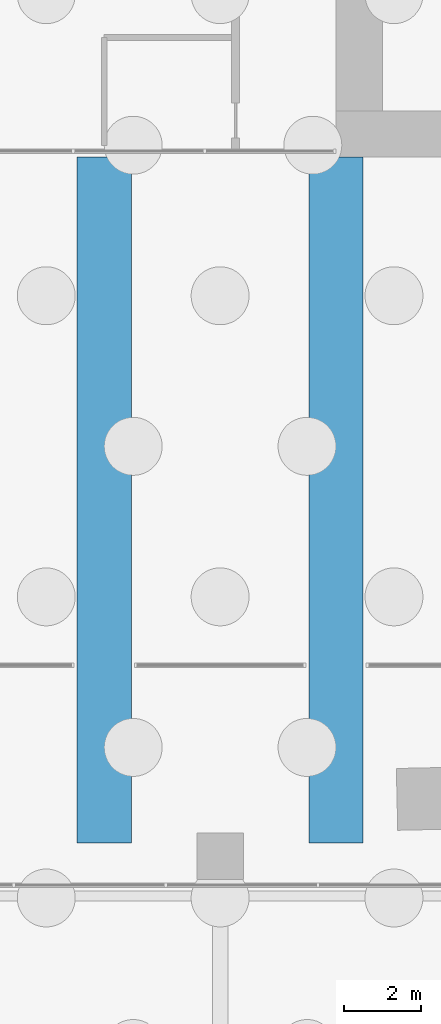
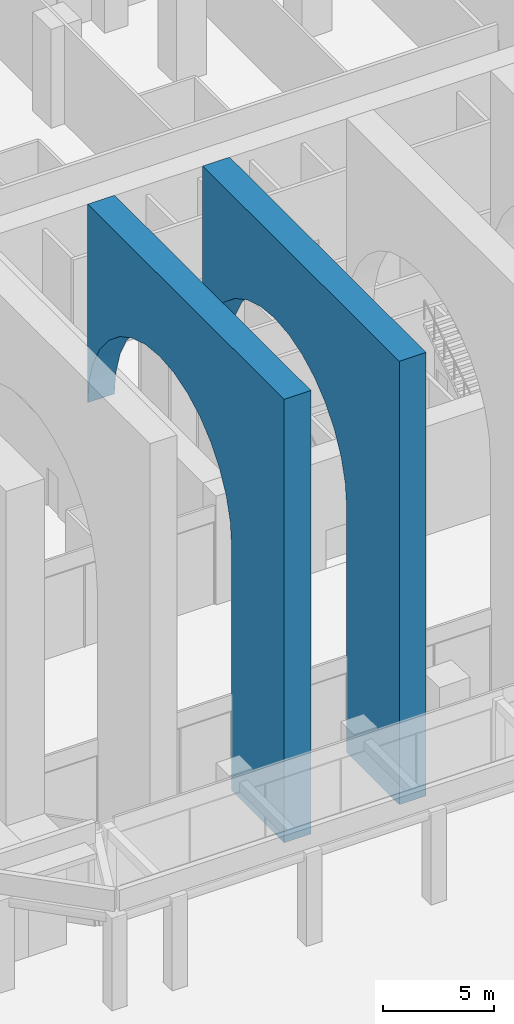
# One storey, part 8 of 46: 2 members.
"""IFC4 building model written with IfcOpenShell, lengths in metres."""

from ifc_helpers import new_model, si_unit, direction, frame, origin, place, context, subcontext, project, spatial, polyline, outline, extrude, material, material_profile, profile_set, type_object, element, save


model = new_model("IFC4")

# Units and contexts
model_context = context("Model", 3, precision=1e-05, world=origin(), true_north=direction((0.0, 1.0)))
body_context = subcontext(model_context, "Body", "Model", "MODEL_VIEW")
ifc_project = project(units=[si_unit("LENGTHUNIT", "METRE"), si_unit("AREAUNIT", "SQUARE_METRE"), si_unit("VOLUMEUNIT", "CUBIC_METRE"), si_unit("PLANEANGLEUNIT", "RADIAN"), si_unit("MASSUNIT", "GRAM", prefix="KILO")], contexts=[model_context])

# Site, building, storey
site_placement = place(None, origin())
site = spatial("IfcSite", under=ifc_project, at=site_placement, CompositionType="ELEMENT")
building_placement = place(site_placement, origin())
building = spatial("IfcBuilding", under=site, at=building_placement, Name="Mangrove Gate Tower", CompositionType="ELEMENT")
storey_placement = place(building_placement, origin())
storey = spatial("IfcBuildingStorey", under=building, at=storey_placement, Name="L00", CompositionType="ELEMENT", Elevation=0.0)

# Members
ifc_material = material(Name="Concrete C60/75", Category="concrete")
ifc_material_profile = material_profile(ifc_material, outline(polyline([(-8.875, 0.0), (-4.125, 0.0), (-4.125, 13.5), (-4.0, 14.76806640625), (-3.6298828125, 15.987060546875), (-3.030029296875, 17.111083984375), (-2.220947265625, 18.095947265625), (-1.236083984375, 18.905029296875), (-0.112060546875, 19.5048828125), (1.10693359375, 19.875), (2.375, 20.0), (3.64306640625, 19.875), (4.862060546875, 19.5048828125), (5.986083984375, 18.905029296875), (6.970947265625, 18.095947265625), (7.780029296875, 17.111083984375), (8.3798828125, 15.987060546875), (8.75, 14.76806640625), (8.875, 13.5), (8.875, 24.449951171875), (-8.875, 24.449951171875), (-8.875, 0.0)])))
ifc_profile_set = profile_set([ifc_material_profile], Name="Concrete C60/75")
member_type = type_object("IfcMemberType", Name="Arch frame ARCH FRAME 1400x17750 C60/75", PredefinedType="USERDEFINED", material=ifc_profile_set)
for number, where, z_axis, x_axis, name in (
    (1, (-21.699951171875, -20.875, 0.0), (1.0, 0.0, 0.0), (0.0, 1.0, 0.0), "Arch frame XM21"),
    (2, (-15.699951171875, -20.875, 0.0), (1.0, 0.0, 0.0), (0.0, 1.0, 0.0), "Arch frame XM15"),
):
    element("IfcMember", number, at=place(storey_placement, frame(where, z_axis=z_axis, x_axis=x_axis)), inside=storey, type_object=member_type, Name=name, ObjectType="ARCH FRAME", PredefinedType="USERDEFINED", context=body_context, shape_type="SweptSolid", body=[
        extrude(outline(polyline([(-8.875, 0.0), (-4.125, 0.0), (-4.125, 13.5), (-4.0, 14.76806640625), (-3.6298828125, 15.987060546875), (-3.030029296875, 17.111083984375), (-2.220947265625, 18.095947265625), (-1.236083984375, 18.905029296875), (-0.112060546875, 19.5048828125), (1.10693359375, 19.875), (2.375, 20.0), (3.64306640625, 19.875), (4.862060546875, 19.5048828125), (5.986083984375, 18.905029296875), (6.970947265625, 18.095947265625), (7.780029296875, 17.111083984375), (8.3798828125, 15.987060546875), (8.75, 14.76806640625), (8.875, 13.5), (8.875, 24.449951171875), (-8.875, 24.449951171875), (-8.875, 0.0)])), origin(), (0.0, 0.0, 1.0), 1.39990234375),
    ])

save(model, "model.ifc")
